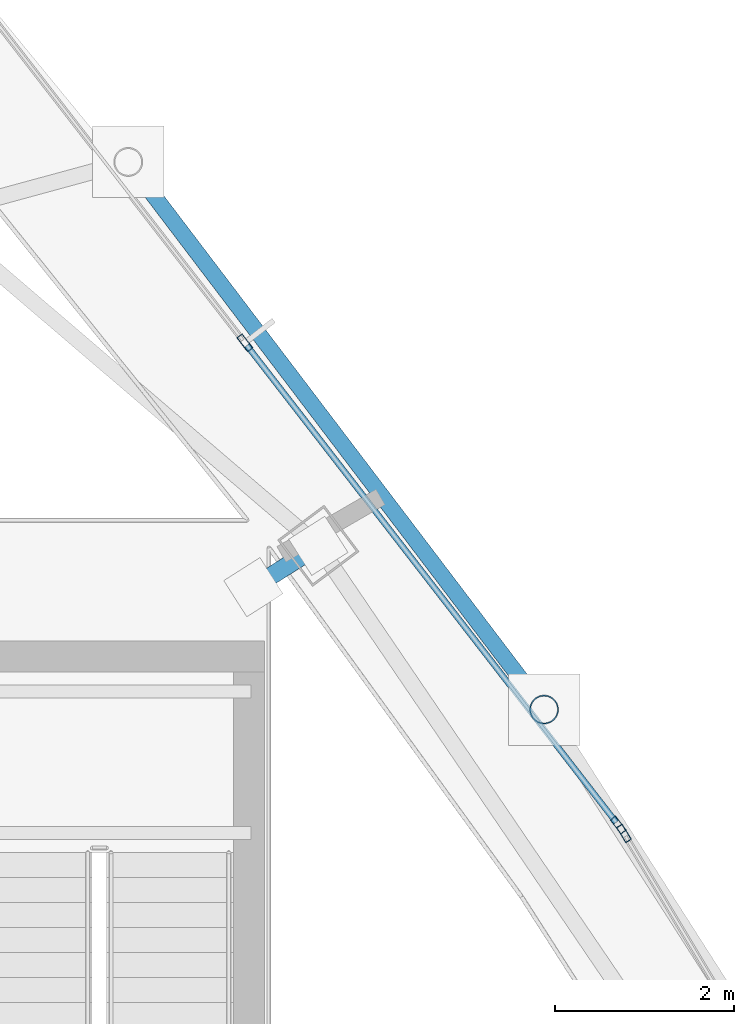
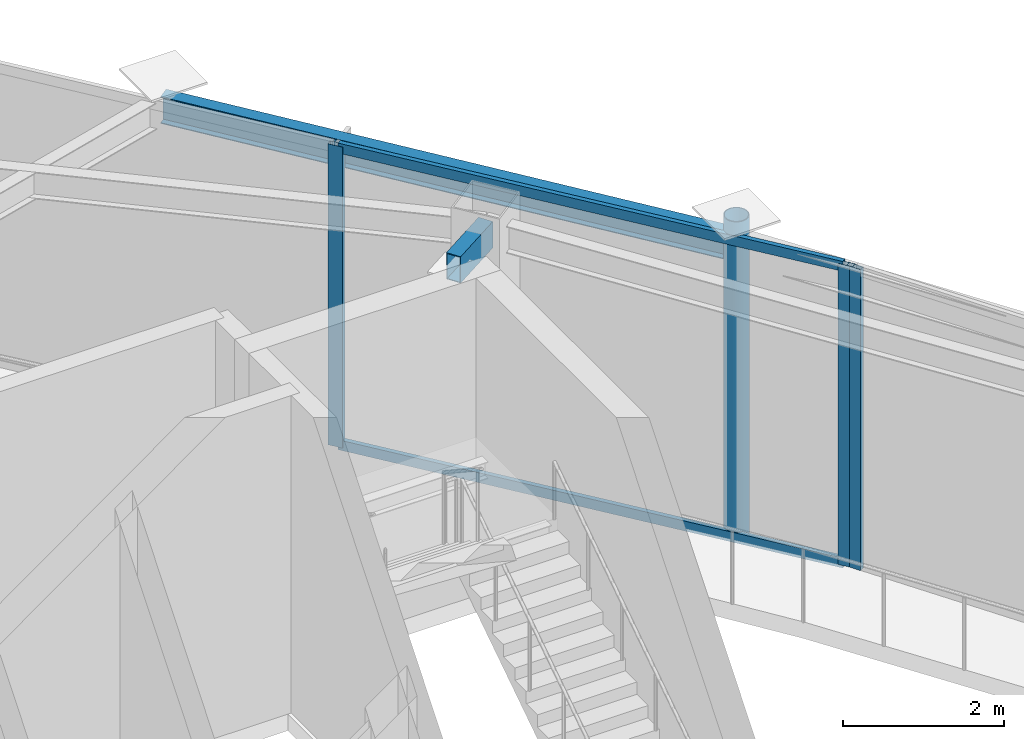
# One storey, part 10 of 20: 7 members, 1 beam, 2 elements without a shape of their own.
"""IFC4 building model written with IfcOpenShell, lengths in metres."""

from ifc_helpers import new_model, si_unit, direction, frame, origin, origin_2d, place, context, subcontext, project, spatial, hollow_rectangle, hollow_circle, i_section, extrude, material, layer, layer_set, material_profile, profile_set, type_object, element, aggregate, save


model = new_model("IFC4")

# Units and contexts
model_context = context("Model", 3, precision=1e-05, world=origin(), true_north=direction((0.0, 1.0)))
body_context = subcontext(model_context, "Body", "Model", "MODEL_VIEW")
ifc_project = project(units=[si_unit("LENGTHUNIT", "METRE"), si_unit("AREAUNIT", "SQUARE_METRE"), si_unit("VOLUMEUNIT", "CUBIC_METRE"), si_unit("PLANEANGLEUNIT", "RADIAN"), si_unit("MASSUNIT", "GRAM", prefix="KILO")], contexts=[model_context])

# Site, building, storey
site_placement = place(None, origin())
site = spatial("IfcSite", under=ifc_project, at=site_placement, CompositionType="ELEMENT")
building_placement = place(site_placement, origin())
building = spatial("IfcBuilding", under=site, at=building_placement, Name="Orvanel Arch Residences", CompositionType="ELEMENT")
storey_placement = place(building_placement, frame((0.0, 0.0, 300.5)))
storey = spatial("IfcBuildingStorey", under=building, at=storey_placement, Name="L84", CompositionType="ELEMENT", Elevation=300.5)

# Curtain wall, member
ifc_material_1 = material(Name="Bronze-anodised aluminium AA6063-T6", Category="aluminium")
ifc_layer = layer(ifc_material_1, 0.2099609375)
ifc_layer_set = layer_set([ifc_layer], Name="Bronze-anodised aluminium AA6063-T6")
curtain_wall_type = type_object("IfcCurtainWallType", Name="CW7-TOP-SYS", PredefinedType="NOTDEFINED", material=ifc_layer_set)
curtain_wall_1_placement = place(storey_placement, origin())
curtain_wall_1 = element("IfcCurtainWall", 1, at=curtain_wall_1_placement, inside=storey, type_object=curtain_wall_type, Name="L84 CW7-TOP-SYS Unitised Curtain Wall", PredefinedType="NOTDEFINED")
ifc_material_profile_1 = material_profile(ifc_material_1, hollow_rectangle(XDim=0.074951171875, YDim=0.199951171875, WallThickness=0.0048828125, at=origin_2d()), Name="ALU200x75x5")
ifc_profile_set_1 = profile_set([ifc_material_profile_1], Name="Bronze-anodised aluminium AA6063-T6")
member_type_1 = type_object("IfcMemberType", Name="MUL-200x75", PredefinedType="MULLION", material=ifc_profile_set_1)
member_1_placement = place(storey_placement, frame((43.773193359375, 31.892822265625, 0.0), z_axis=(0.0, 0.0, 1.0), x_axis=(-0.857522096821, -0.514447133788, 0.0)))
member_1 = element("IfcMember", 2, at=member_1_placement, type_object=member_type_1, Name="CW-S7 mullion 2", PredefinedType="MULLION", context=body_context, shape_type="SweptSolid", body=[
    extrude(hollow_rectangle(XDim=0.074951171875, YDim=0.199951171875, WallThickness=0.0048828125, at=origin_2d()), origin(), (0.0, 0.0, 1.0), 4.550048828125),
])
aggregate(curtain_wall_1, [member_1])

# Curtain wall, members
curtain_wall_2_placement = place(storey_placement, origin())
curtain_wall_2 = element("IfcCurtainWall", 3, at=curtain_wall_2_placement, inside=storey, type_object=curtain_wall_type, Name="L84 CW7-TOP-SYS Unitised Curtain Wall", PredefinedType="NOTDEFINED")
member_2_placement = place(storey_placement, frame((43.708984375, 31.987548828125, 0.0), z_axis=(0.0, 0.0, 1.0), x_axis=(-0.790656592833, -0.612259873102, 0.0)))
member_2 = element("IfcMember", 4, at=member_2_placement, type_object=member_type_1, Name="CW-S7 mullion 1", PredefinedType="MULLION", context=body_context, shape_type="SweptSolid", body=[
    extrude(hollow_rectangle(XDim=0.074951171875, YDim=0.199951171875, WallThickness=0.0048828125, at=origin_2d()), origin(), (0.0, 0.0, 1.0), 4.550048828125),
])
member_3_placement = place(storey_placement, frame((39.529541015625, 37.385009765625, 0.0), z_axis=(0.0, 0.0, 1.0), x_axis=(-0.790656592833, -0.612259873102, 0.0)))
member_3 = element("IfcMember", 5, at=member_3_placement, type_object=member_type_1, Name="CW-S7 mullion 2", PredefinedType="MULLION", context=body_context, shape_type="SweptSolid", body=[
    extrude(hollow_rectangle(XDim=0.074951171875, YDim=0.199951171875, WallThickness=0.0048828125, at=origin_2d()), origin(), (0.0, 0.0, 1.0), 4.550048828125),
])

# Beam
ifc_material_2 = material(Name="Structural steel AS/NZS 3679.1 Grade 300 (300 MPa)", Category="steel")
ifc_material_profile_2 = material_profile(ifc_material_2, i_section(OverallWidth=0.177978515625, OverallDepth=0.406005859375, WebThickness=0.0078125, FlangeThickness=0.0126953125, at=origin_2d()), Name="410UB59.7")
ifc_profile_set_2 = profile_set([ifc_material_profile_2], Name="Structural steel AS/NZS 3679.1 Grade 300 (300 MPa)")
beam_type = type_object("IfcBeamType", Name="OB-410UB-EXT", PredefinedType="SPANDREL", material=ifc_profile_set_2)
beam_placement = place(storey_placement, frame((42.87890625, 33.280029296875, 4.346923828125), z_axis=(-0.604759912546, 0.796407840354, 0.0), x_axis=(-0.796407840354, -0.604759912546, 0.0)))
element("IfcBeam", 6, at=beam_placement, inside=storey, type_object=beam_type, Name="L84 Outer Perimeter Floor Ring Beam 11", PredefinedType="SPANDREL", context=body_context, shape_type="SweptSolid", body=[
    extrude(i_section(OverallWidth=0.177978515625, OverallDepth=0.406005859375, WebThickness=0.0078125, FlangeThickness=0.0126953125, at=origin_2d()), origin(), (0.0, 0.0, 1.0), 7.697021484375),
])

# Members
ifc_material_3 = material(Name="Structural steel AS/NZS 1163 C350L0 (Grade 350)", Category="steel")
ifc_material_profile_3 = material_profile(ifc_material_3, hollow_rectangle(XDim=0.199951171875, YDim=0.39990234375, WallThickness=0.012451171875, at=origin_2d()), Name="RHS400x200x12.5")
ifc_profile_set_3 = profile_set([ifc_material_profile_3], Name="Structural steel AS/NZS 1163 C350L0 (Grade 350)")
member_type_2 = type_object("IfcMemberType", Name="RF-400RHS", PredefinedType="RAFTER", material=ifc_profile_set_3)
member_4_placement = place(storey_placement, frame((39.625, 34.64990234375, 4.300048828125), z_axis=(0.843416501634, 0.537260276562, 0.0), x_axis=(-0.537260276562, 0.843416501634, 0.0)))
element("IfcMember", 7, at=member_4_placement, inside=storey, type_object=member_type_2, Name="L84 Winter-Garden Conservatory Gallery Rafter 04", PredefinedType="RAFTER", context=body_context, shape_type="SweptSolid", body=[
    extrude(hollow_rectangle(XDim=0.199951171875, YDim=0.39990234375, WallThickness=0.012451171875, at=origin_2d()), origin(), (0.0, 0.0, 1.0), 0.862060546875),
])
ifc_material_profile_4 = material_profile(ifc_material_3, hollow_circle(Radius=0.162109375, WallThickness=0.0126953125, at=origin_2d()), Name="CHS324x12.7")
ifc_profile_set_4 = profile_set([ifc_material_profile_4], Name="Structural steel AS/NZS 1163 C350L0 (Grade 350)")
member_type_3 = type_object("IfcMemberType", Name="ST-324CHS-EXT", PredefinedType="STRUT", material=ifc_profile_set_4)
member_5_placement = place(storey_placement, frame((42.87890625, 33.280029296875, 0.0), z_axis=(0.0, 0.0, 1.0), x_axis=(1.0, 0.0, 0.0)))
element("IfcMember", 8, at=member_5_placement, inside=storey, type_object=member_type_3, Name="L84 Outer Perimeter Frame Post 11", PredefinedType="STRUT", context=body_context, shape_type="SweptSolid", body=[
    extrude(hollow_circle(Radius=0.162109375, WallThickness=0.0126953125, at=origin_2d()), origin(), (0.0, 0.0, 1.0), 4.800048828125),
])

# Member
ifc_material_profile_5 = material_profile(ifc_material_1, hollow_rectangle(XDim=0.06494140625, YDim=0.14990234375, WallThickness=0.00390625, at=origin_2d()), Name="ALU150x65x4")
ifc_profile_set_5 = profile_set([ifc_material_profile_5], Name="Bronze-anodised aluminium AA6063-T6")
member_type_4 = type_object("IfcMemberType", Name="TRN-150x65", PredefinedType="USERDEFINED", material=ifc_profile_set_5)
member_6_placement = place(storey_placement, frame((43.68603515625, 32.017333984375, 0.032470703125), z_axis=(-0.612246853971, 0.790666674271, 0.0), x_axis=(-0.790666674271, -0.612246853971, 0.0)))
member_6 = element("IfcMember", 9, at=member_6_placement, type_object=member_type_4, Name="CW-S7 transom 1.1", ObjectType="TRANSOM", PredefinedType="USERDEFINED", context=body_context, shape_type="SweptSolid", body=[
    extrude(hollow_rectangle(XDim=0.06494140625, YDim=0.14990234375, WallThickness=0.00390625, at=origin_2d()), origin(), (0.0, 0.0, 1.0), 6.75146484375),
])

member_7_placement = place(storey_placement, frame((43.68603515625, 32.017333984375, 4.517578125), z_axis=(-0.612246853971, 0.790666674271, 0.0), x_axis=(-0.790666674271, -0.612246853971, 0.0)))
member_7 = element("IfcMember", 10, at=member_7_placement, type_object=member_type_4, Name="CW-S7 transom 1.2", ObjectType="TRANSOM", PredefinedType="USERDEFINED", context=body_context, shape_type="SweptSolid", body=[
    extrude(hollow_rectangle(XDim=0.06494140625, YDim=0.14990234375, WallThickness=0.00390625, at=origin_2d()), origin(), (0.0, 0.0, 1.0), 6.75146484375),
])

aggregate(curtain_wall_2, [member_2, member_3, member_6, member_7])

save(model, "model.ifc")
